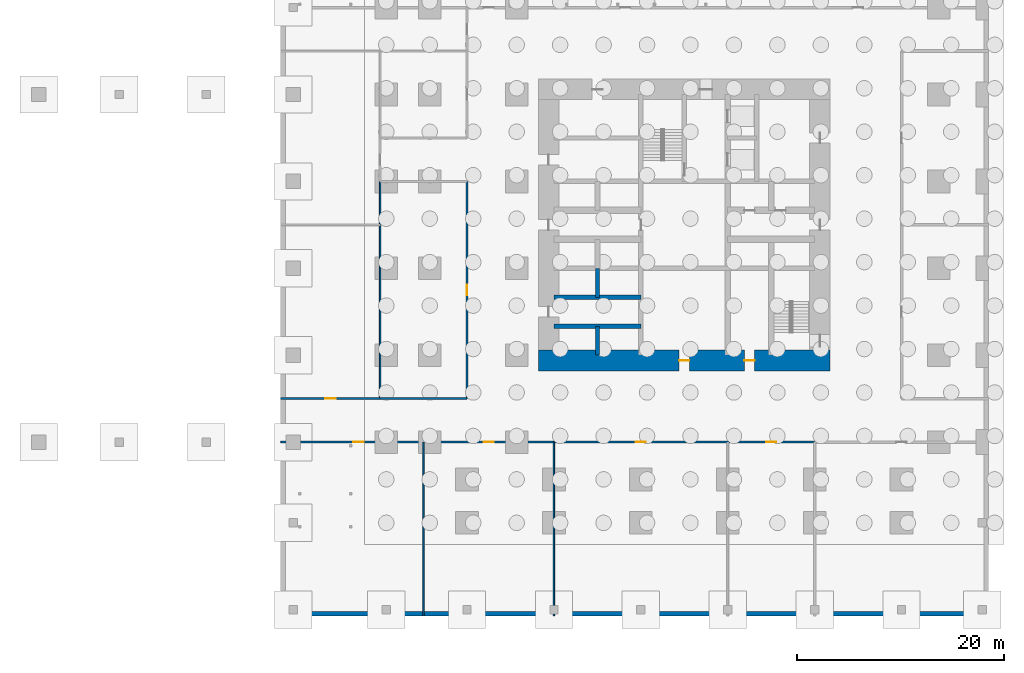
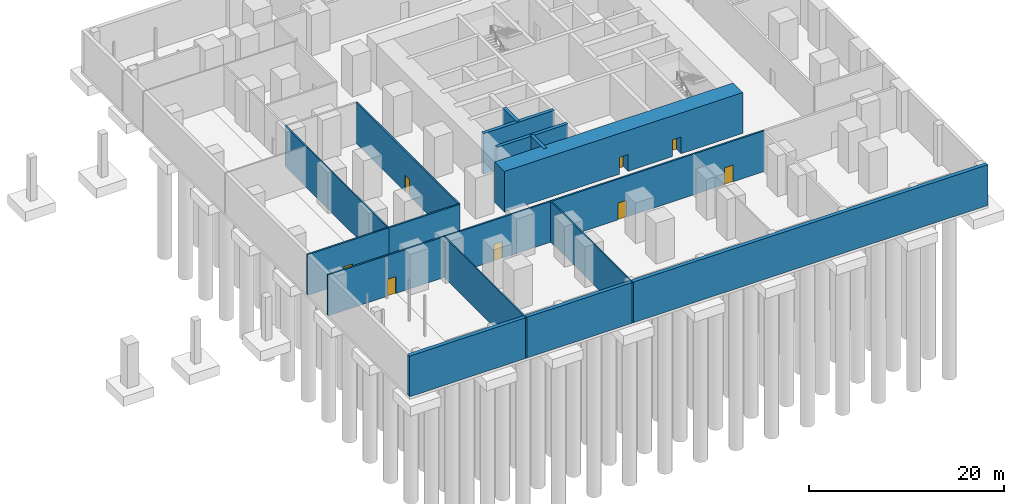
# One storey, part 12 of 18: 13 walls, 8 doors, 8 openings.
"""IFC4 building model written with IfcOpenShell, lengths in metres."""

from ifc_helpers import new_model, si_unit, direction, frame, frame_2d, origin, place, context, subcontext, project, spatial, rectangle, extrude, material, layer, layer_set, type_object, element, fill, save


model = new_model("IFC4")

# Units and contexts
model_context = context("Model", 3, precision=1e-05, world=origin(), true_north=direction((0.0, 1.0)))
body_context = subcontext(model_context, "Body", "Model", "MODEL_VIEW")
ifc_project = project(units=[si_unit("LENGTHUNIT", "METRE"), si_unit("AREAUNIT", "SQUARE_METRE"), si_unit("VOLUMEUNIT", "CUBIC_METRE"), si_unit("PLANEANGLEUNIT", "RADIAN"), si_unit("MASSUNIT", "GRAM", prefix="KILO")], contexts=[model_context])

# Site, building, storey
site_placement = place(None, origin())
site = spatial("IfcSite", under=ifc_project, at=site_placement, CompositionType="ELEMENT")
building_placement = place(site_placement, origin())
building = spatial("IfcBuilding", under=site, at=building_placement, Name="Dunama Terrace Hotel", CompositionType="ELEMENT")
storey_placement = place(building_placement, frame((0.0, 0.0, -5.39990234375)))
storey = spatial("IfcBuildingStorey", under=building, at=storey_placement, Name="B1", CompositionType="ELEMENT", Elevation=-5.39990234375)

# Walls
ifc_material_1 = material(Name="Concrete C40/50", Category="concrete")
ifc_layer_1 = layer(ifc_material_1, 0.449951171875)
ifc_layer_set_1 = layer_set([ifc_layer_1], Name="Basement retaining wall 450")
wall_type_1 = type_object("IfcWallType", Name="Basement retaining wall 450", PredefinedType="SOLIDWALL", material=ifc_layer_set_1)
wall_1_placement = place(storey_placement, frame((-9.60009765625, -8.175048828125, 0.0), z_axis=(0.0, 0.0, 1.0), x_axis=(1.0, 0.0, 0.0)))
element("IfcWall", 1, at=wall_1_placement, inside=storey, type_object=wall_type_1, Name="Basement retaining wall", PredefinedType="SOLIDWALL", context=body_context, shape_type="SweptSolid", body=[
    extrude(rectangle(XDim=68.400146484375, YDim=0.449951171875, at=frame_2d((34.2001953125, 0.0))), origin(), (0.0, 0.0, 1.0), 5.099853515625),
])
ifc_material_2 = material(Name="Concrete C50/60", Category="concrete")
ifc_layer_2 = layer(ifc_material_2, 0.39990234375)
ifc_layer_set_2 = layer_set([ifc_layer_2], Name="Core inner wall 400")
wall_type_2 = type_object("IfcWallType", Name="Core inner wall 400", PredefinedType="SHEAR", material=ifc_layer_set_2)
for number, where, z_axis, x_axis, name in (
    (2, (21.0, 16.800048828125, 0.0), (0.0, 0.0, 1.0), (0.0, 1.0, 0.0), "Core inner wall 400 B1"),
    (3, (21.0, 22.39990234375, 0.0), (0.0, 0.0, 1.0), (0.0, 1.0, 0.0), "Core inner wall 400 B1"),
):
    element("IfcWall", number, at=place(storey_placement, frame(where, z_axis=z_axis, x_axis=x_axis)), inside=storey, type_object=wall_type_2, Name=name, PredefinedType="SHEAR", context=body_context, shape_type="SweptSolid", body=[
        extrude(rectangle(XDim=2.800048828125, YDim=0.39990234375, at=frame_2d((1.39990234375, 0.0))), origin(), (0.0, 0.0, 1.0), 5.099853515625),
    ])
for number, where, z_axis, x_axis, name in (
    (4, (16.800048828125, 19.60009765625, 0.0), (0.0, 0.0, 1.0), (1.0, 0.0, 0.0), "Core inner wall 400 B1"),
    (5, (16.800048828125, 22.39990234375, 0.0), (0.0, 0.0, 1.0), (1.0, 0.0, 0.0), "Core inner wall 400 B1"),
):
    element("IfcWall", number, at=place(storey_placement, frame(where, z_axis=z_axis, x_axis=x_axis)), inside=storey, type_object=wall_type_2, Name=name, PredefinedType="SHEAR", context=body_context, shape_type="SweptSolid", body=[
        extrude(rectangle(XDim=8.39990234375, YDim=0.39990234375, at=frame_2d((4.199951171875, 0.0))), origin(), (0.0, 0.0, 1.0), 5.099853515625),
    ])

# Wall, openings, doors
ifc_material_3 = material(Name="Concrete C60/75", Category="concrete")
ifc_layer_3 = layer(ifc_material_3, 2.0)
ifc_layer_set_3 = layer_set([ifc_layer_3], Name="Core wall 2000")
wall_type_3 = type_object("IfcWallType", Name="Core wall 2000", PredefinedType="SHEAR", material=ifc_layer_set_3)
wall_2_placement = place(storey_placement, frame((15.300048828125, 16.300048828125, 0.0), z_axis=(0.0, 0.0, 1.0), x_axis=(1.0, 0.0, 0.0)))
wall_2 = element("IfcWall", 6, at=wall_2_placement, inside=storey, type_object=wall_type_3, Name="Core wall south B1", PredefinedType="SHEAR", context=body_context, shape_type="SweptSolid", body=[
    extrude(rectangle(XDim=28.199951171875, YDim=2.0, at=frame_2d((14.10009765625, 0.0))), origin(), (0.0, 0.0, 1.0), 5.099853515625),
])
opening_1_placement = place(wall_2_placement, frame((13.60009765625, 0.0, 0.0)))
opening_1 = element("IfcOpeningElement", 7, at=opening_1_placement, cuts=wall_2, Name="Opening B1-015", PredefinedType="OPENING", context=body_context, shape_type="SweptSolid", body=[
    extrude(rectangle(XDim=1.0, YDim=2.10009765625, at=frame_2d((0.5, 1.050048828125))), frame((0.0, 1.010009765625, 0.0), z_axis=(0.0, -1.0, 0.0), x_axis=(1.0, 0.0, 0.0)), (0.0, 0.0, 1.0), 2.02001953125),
])
opening_2_placement = place(wall_2_placement, frame((19.89990234375, 0.0, 0.0)))
opening_2 = element("IfcOpeningElement", 8, at=opening_2_placement, cuts=wall_2, Name="Opening B1-016", PredefinedType="OPENING", context=body_context, shape_type="SweptSolid", body=[
    extrude(rectangle(XDim=1.0, YDim=2.10009765625, at=frame_2d((0.5, 1.050048828125))), frame((0.0, 1.010009765625, 0.0), z_axis=(0.0, -1.0, 0.0), x_axis=(1.0, 0.0, 0.0)), (0.0, 0.0, 1.0), 2.02001953125),
])
ifc_material_4 = material(Name="Timber door with steel frame", Category="steel")
door_type = type_object("IfcDoorType", Name="Service door 1000", OperationType="SINGLE_SWING_LEFT", PredefinedType="DOOR", material=ifc_material_4)
door_1_placement = place(opening_1_placement, origin())
door_1 = element("IfcDoor", 9, at=door_1_placement, inside=storey, type_object=door_type, Name="Door to corridor air handling room B1-015, type D7", OperationType="SINGLE_SWING_RIGHT", OverallHeight=2.10009765625, OverallWidth=1.0, PredefinedType="DOOR", context=body_context, shape_type="SweptSolid", body=[
    extrude(rectangle(XDim=1.0, YDim=2.10009765625, at=frame_2d((0.5, 1.050048828125))), frame((0.0, 0.02490234375, 0.0), z_axis=(0.0, -1.0, 0.0), x_axis=(1.0, 0.0, 0.0)), (0.0, 0.0, 1.0), 0.050048828125),
])
fill(opening_1, door_1)
door_2_placement = place(opening_2_placement, origin())
door_2 = element("IfcDoor", 10, at=door_2_placement, inside=storey, type_object=door_type, Name="Door to water riser room B1-016, type D7", OperationType="SINGLE_SWING_RIGHT", OverallHeight=2.10009765625, OverallWidth=1.0, PredefinedType="DOOR", context=body_context, shape_type="SweptSolid", body=[
    extrude(rectangle(XDim=1.0, YDim=2.10009765625, at=frame_2d((0.5, 1.050048828125))), frame((0.0, 0.02490234375, 0.0), z_axis=(0.0, -1.0, 0.0), x_axis=(1.0, 0.0, 0.0)), (0.0, 0.0, 1.0), 0.050048828125),
])
fill(opening_2, door_2)

ifc_material_5 = material(Name="Concrete blockwork", Category="masonry")
ifc_layer_4 = layer(ifc_material_5, 0.199951171875)
ifc_layer_set_4 = layer_set([ifc_layer_4], Name="Corridor partition 200")
wall_type_4 = type_object("IfcWallType", Name="Corridor partition 200", PredefinedType="PARTITIONING", material=ifc_layer_set_4)
wall_3_placement = place(storey_placement, frame((-9.60009765625, 8.39990234375, 0.0), z_axis=(0.0, 0.0, 1.0), x_axis=(1.0, 0.0, 0.0)))
wall_3 = element("IfcWall", 11, at=wall_3_placement, inside=storey, type_object=wall_type_4, Name="Corridor partition 200 B1", PredefinedType="PARTITIONING", context=body_context, shape_type="SweptSolid", body=[
    extrude(rectangle(XDim=51.60009765625, YDim=0.199951171875, at=frame_2d((25.800048828125, 0.0))), origin(), (0.0, 0.0, 1.0), 5.099853515625),
])
opening_3_placement = place(wall_3_placement, frame((7.0, 0.0, 0.0)))
opening_3 = element("IfcOpeningElement", 12, at=opening_3_placement, cuts=wall_3, Name="Opening B1-017", PredefinedType="OPENING", context=body_context, shape_type="SweptSolid", body=[
    extrude(rectangle(XDim=1.0, YDim=2.10009765625, at=frame_2d((0.5, 1.050048828125))), frame((0.0, 0.10986328125, 0.0), z_axis=(0.0, -1.0, 0.0), x_axis=(1.0, 0.0, 0.0)), (0.0, 0.0, 1.0), 0.219970703125),
])
opening_4_placement = place(wall_3_placement, frame((19.60009765625, 0.0, 0.0)))
opening_4 = element("IfcOpeningElement", 13, at=opening_4_placement, cuts=wall_3, Name="Opening B1-018", PredefinedType="OPENING", context=body_context, shape_type="SweptSolid", body=[
    extrude(rectangle(XDim=1.0, YDim=2.10009765625, at=frame_2d((0.5, 1.050048828125))), frame((0.0, 0.10986328125, 0.0), z_axis=(0.0, -1.0, 0.0), x_axis=(1.0, 0.0, 0.0)), (0.0, 0.0, 1.0), 0.219970703125),
])
opening_5_placement = place(wall_3_placement, frame((34.300048828125, 0.0, 0.0)))
opening_5 = element("IfcOpeningElement", 14, at=opening_5_placement, cuts=wall_3, Name="Opening B1-019", PredefinedType="OPENING", context=body_context, shape_type="SweptSolid", body=[
    extrude(rectangle(XDim=1.0, YDim=2.10009765625, at=frame_2d((0.5, 1.050048828125))), frame((0.0, 0.10986328125, 0.0), z_axis=(0.0, -1.0, 0.0), x_axis=(1.0, 0.0, 0.0)), (0.0, 0.0, 1.0), 0.219970703125),
])
opening_6_placement = place(wall_3_placement, frame((46.89990234375, 0.0, 0.0)))
opening_6 = element("IfcOpeningElement", 15, at=opening_6_placement, cuts=wall_3, Name="Opening B1-020", PredefinedType="OPENING", context=body_context, shape_type="SweptSolid", body=[
    extrude(rectangle(XDim=1.0, YDim=2.10009765625, at=frame_2d((0.5, 1.050048828125))), frame((0.0, 0.10986328125, 0.0), z_axis=(0.0, -1.0, 0.0), x_axis=(1.0, 0.0, 0.0)), (0.0, 0.0, 1.0), 0.219970703125),
])
door_3_placement = place(opening_3_placement, frame((1.0, 0.0, 0.0), z_axis=(0.0, 0.0, 1.0), x_axis=(-1.0, 0.0, 0.0)))
door_3 = element("IfcDoor", 16, at=door_3_placement, inside=storey, type_object=door_type, Name="Door to kitchen dry store B1-017, type D7", OperationType="SINGLE_SWING_RIGHT", OverallHeight=2.10009765625, OverallWidth=1.0, PredefinedType="DOOR", context=body_context, shape_type="SweptSolid", body=[
    extrude(rectangle(XDim=1.0, YDim=2.10009765625, at=frame_2d((0.5, 1.050048828125))), frame((0.0, 0.025146484375, 0.0), z_axis=(0.0, -1.0, 0.0), x_axis=(1.0, 0.0, 0.0)), (0.0, 0.0, 1.0), 0.050048828125),
])
fill(opening_3, door_3)
door_4_placement = place(opening_4_placement, frame((1.0, 0.0, 0.0), z_axis=(0.0, 0.0, 1.0), x_axis=(-1.0, 0.0, 0.0)))
door_4 = element("IfcDoor", 17, at=door_4_placement, inside=storey, type_object=door_type, Name="Door to cold room B1-018, type D7", OperationType="SINGLE_SWING_LEFT", OverallHeight=2.10009765625, OverallWidth=1.0, PredefinedType="DOOR", context=body_context, shape_type="SweptSolid", body=[
    extrude(rectangle(XDim=1.0, YDim=2.10009765625, at=frame_2d((0.5, 1.050048828125))), frame((0.0, 0.025146484375, 0.0), z_axis=(0.0, -1.0, 0.0), x_axis=(1.0, 0.0, 0.0)), (0.0, 0.0, 1.0), 0.050048828125),
])
fill(opening_4, door_4)
door_5_placement = place(opening_5_placement, frame((1.0, 0.0, 0.0), z_axis=(0.0, 0.0, 1.0), x_axis=(-1.0, 0.0, 0.0)))
door_5 = element("IfcDoor", 18, at=door_5_placement, inside=storey, type_object=door_type, Name="Door to main laundry B1-019, type D7", OperationType="SINGLE_SWING_RIGHT", OverallHeight=2.10009765625, OverallWidth=1.0, PredefinedType="DOOR", context=body_context, shape_type="SweptSolid", body=[
    extrude(rectangle(XDim=1.0, YDim=2.10009765625, at=frame_2d((0.5, 1.050048828125))), frame((0.0, 0.025146484375, 0.0), z_axis=(0.0, -1.0, 0.0), x_axis=(1.0, 0.0, 0.0)), (0.0, 0.0, 1.0), 0.050048828125),
])
fill(opening_5, door_5)
door_6_placement = place(opening_6_placement, frame((1.0, 0.0, 0.0), z_axis=(0.0, 0.0, 1.0), x_axis=(-1.0, 0.0, 0.0)))
door_6 = element("IfcDoor", 19, at=door_6_placement, inside=storey, type_object=door_type, Name="Door to waste store B1-020, type D7", OperationType="SINGLE_SWING_RIGHT", OverallHeight=2.10009765625, OverallWidth=1.0, PredefinedType="DOOR", context=body_context, shape_type="SweptSolid", body=[
    extrude(rectangle(XDim=1.0, YDim=2.10009765625, at=frame_2d((0.5, 1.050048828125))), frame((0.0, 0.025146484375, 0.0), z_axis=(0.0, -1.0, 0.0), x_axis=(1.0, 0.0, 0.0)), (0.0, 0.0, 1.0), 0.050048828125),
])
fill(opening_6, door_6)

# Wall, opening, door
wall_4_placement = place(storey_placement, frame((-9.60009765625, 12.60009765625, 0.0), z_axis=(0.0, 0.0, 1.0), x_axis=(1.0, 0.0, 0.0)))
wall_4 = element("IfcWall", 20, at=wall_4_placement, inside=storey, type_object=wall_type_4, Name="Corridor partition 200 B1", PredefinedType="PARTITIONING", context=body_context, shape_type="SweptSolid", body=[
    extrude(rectangle(XDim=9.60009765625, YDim=0.199951171875, at=frame_2d((4.800048828125, 0.0))), origin(), (0.0, 0.0, 1.0), 5.099853515625),
])
opening_7_placement = place(wall_4_placement, frame((4.300048828125, 0.0, 0.0)))
opening_7 = element("IfcOpeningElement", 21, at=opening_7_placement, cuts=wall_4, Name="Opening B1-022", PredefinedType="OPENING", context=body_context, shape_type="SweptSolid", body=[
    extrude(rectangle(XDim=1.0, YDim=2.10009765625, at=frame_2d((0.5, 1.050048828125))), frame((0.0, 0.10986328125, 0.0), z_axis=(0.0, -1.0, 0.0), x_axis=(1.0, 0.0, 0.0)), (0.0, 0.0, 1.0), 0.219970703125),
])
door_7_placement = place(opening_7_placement, origin())
door_7 = element("IfcDoor", 22, at=door_7_placement, inside=storey, type_object=door_type, Name="Door to staff changing room male B1-022, type D7", OperationType="SINGLE_SWING_LEFT", OverallHeight=2.10009765625, OverallWidth=1.0, PredefinedType="DOOR", context=body_context, shape_type="SweptSolid", body=[
    extrude(rectangle(XDim=1.0, YDim=2.10009765625, at=frame_2d((0.5, 1.050048828125))), frame((0.0, 0.02490234375, 0.0), z_axis=(0.0, -1.0, 0.0), x_axis=(1.0, 0.0, 0.0)), (0.0, 0.0, 1.0), 0.050048828125),
])
fill(opening_7, door_7)

wall_5_placement = place(storey_placement, frame((8.39990234375, 33.60009765625, 0.0), z_axis=(0.0, 0.0, 1.0), x_axis=(0.0, -1.0, 0.0)))
wall_5 = element("IfcWall", 23, at=wall_5_placement, inside=storey, type_object=wall_type_4, Name="Corridor partition 200 B1", PredefinedType="PARTITIONING", context=body_context, shape_type="SweptSolid", body=[
    extrude(rectangle(XDim=21.0, YDim=0.199951171875, at=frame_2d((10.5, 0.0))), origin(), (0.0, 0.0, 1.0), 5.099853515625),
])
opening_8_placement = place(wall_5_placement, frame((10.0, 0.0, 0.0)))
opening_8 = element("IfcOpeningElement", 24, at=opening_8_placement, cuts=wall_5, Name="Opening B1-024", PredefinedType="OPENING", context=body_context, shape_type="SweptSolid", body=[
    extrude(rectangle(XDim=1.0, YDim=2.10009765625, at=frame_2d((0.5, 1.050048828125))), frame((0.0, 0.10986328125, 0.0), z_axis=(0.0, -1.0, 0.0), x_axis=(1.0, 0.0, 0.0)), (0.0, 0.0, 1.0), 0.219970703125),
])
door_8_placement = place(opening_8_placement, origin())
door_8 = element("IfcDoor", 25, at=door_8_placement, inside=storey, type_object=door_type, Name="Door to staff canteen B1-024, type D7", OperationType="SINGLE_SWING_LEFT", OverallHeight=2.10009765625, OverallWidth=1.0, PredefinedType="DOOR", context=body_context, shape_type="SweptSolid", body=[
    extrude(rectangle(XDim=1.0, YDim=2.10009765625, at=frame_2d((0.5, 1.050048828125))), frame((0.0, 0.02490234375, 0.0), z_axis=(0.0, -1.0, 0.0), x_axis=(1.0, 0.0, 0.0)), (0.0, 0.0, 1.0), 0.050048828125),
])
fill(opening_8, door_8)

# Walls
wall_6_placement = place(storey_placement, frame((8.39990234375, 12.60009765625, 0.0), z_axis=(0.0, 0.0, 1.0), x_axis=(-1.0, 0.0, 0.0)))
element("IfcWall", 26, at=wall_6_placement, inside=storey, type_object=wall_type_4, Name="Corridor partition 200 B1", PredefinedType="PARTITIONING", context=body_context, shape_type="SweptSolid", body=[
    extrude(rectangle(XDim=8.39990234375, YDim=0.199951171875, at=frame_2d((4.199951171875, 0.0))), origin(), (0.0, 0.0, 1.0), 5.099853515625),
])
ifc_material_6 = material(Name="Gypsum board partition", Category="masonry")
ifc_layer_5 = layer(ifc_material_6, 0.14990234375)
ifc_layer_set_5 = layer_set([ifc_layer_5], Name="Room partition 150")
wall_type_5 = type_object("IfcWallType", Name="Room partition 150", PredefinedType="PARTITIONING", material=ifc_layer_set_5)
wall_7_placement = place(storey_placement, frame((0.0, 12.60009765625, 0.0), z_axis=(0.0, 0.0, 1.0), x_axis=(0.0, 1.0, 0.0)))
element("IfcWall", 27, at=wall_7_placement, inside=storey, type_object=wall_type_5, Name="Room partition 150 B1", PredefinedType="PARTITIONING", context=body_context, shape_type="SweptSolid", body=[
    extrude(rectangle(XDim=21.0, YDim=0.14990234375, at=frame_2d((10.5, 0.0))), origin(), (0.0, 0.0, 1.0), 5.099853515625),
])
for number, where, z_axis, x_axis, name in (
    (28, (4.199951171875, -8.39990234375, 0.0), (0.0, 0.0, 1.0), (0.0, 1.0, 0.0), "Room partition 150 B1"),
    (29, (16.800048828125, -8.39990234375, 0.0), (0.0, 0.0, 1.0), (0.0, 1.0, 0.0), "Room partition 150 B1"),
):
    element("IfcWall", number, at=place(storey_placement, frame(where, z_axis=z_axis, x_axis=x_axis)), inside=storey, type_object=wall_type_5, Name=name, PredefinedType="PARTITIONING", context=body_context, shape_type="SweptSolid", body=[
        extrude(rectangle(XDim=16.7998046875, YDim=0.14990234375, at=frame_2d((8.39990234375, 0.0))), origin(), (0.0, 0.0, 1.0), 5.099853515625),
    ])

save(model, "model.ifc")
